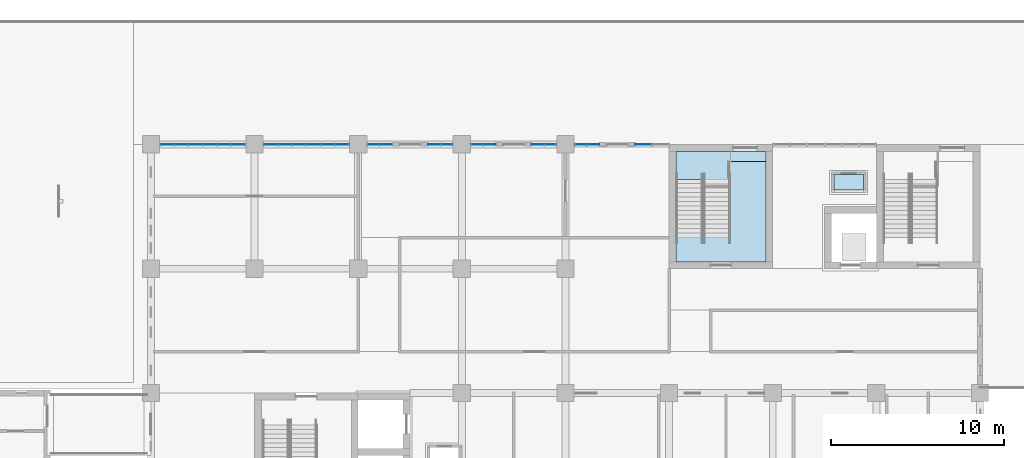
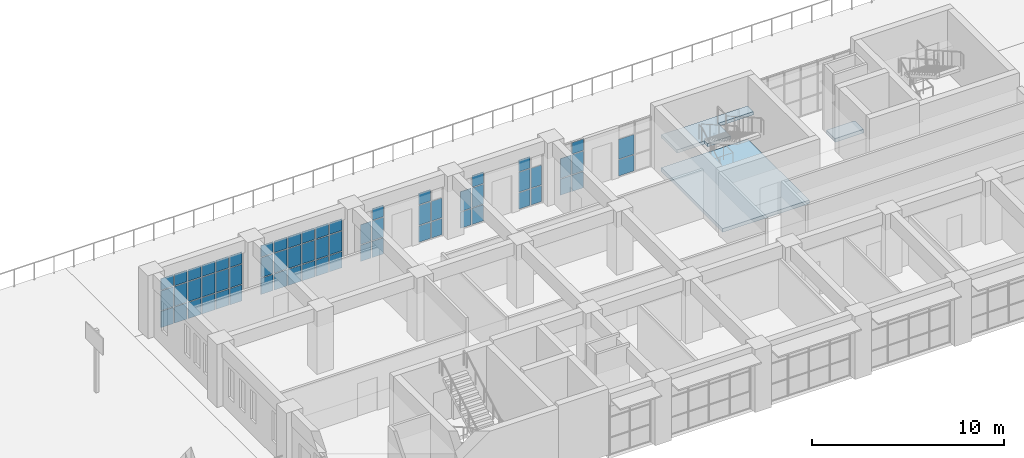
# One storey, part 65 of 101: 63 plates, 3 slabs, 9 elements without a shape of their own.
"""IFC4 building model written with IfcOpenShell, lengths in metres."""

from ifc_helpers import new_model, si_unit, direction, frame, origin, origin_2d, place, context, subcontext, project, spatial, polyline, rectangle, outline, extrude, material, layer, layer_set, type_object, element, aggregate, save


model = new_model("IFC4")

# Units and contexts
model_context = context("Model", 3, precision=1e-05, world=origin(), true_north=direction((0.0, 1.0)))
body_context = subcontext(model_context, "Body", "Model", "MODEL_VIEW")
ifc_project = project(units=[si_unit("LENGTHUNIT", "METRE"), si_unit("AREAUNIT", "SQUARE_METRE"), si_unit("VOLUMEUNIT", "CUBIC_METRE"), si_unit("PLANEANGLEUNIT", "RADIAN"), si_unit("MASSUNIT", "GRAM", prefix="KILO")], contexts=[model_context])

# Site, building, storey
site_placement = place(None, origin())
site = spatial("IfcSite", under=ifc_project, at=site_placement, CompositionType="ELEMENT")
building_placement = place(site_placement, origin())
building = spatial("IfcBuilding", under=site, at=building_placement, Name="Laocheng Heights Fire and Rescue Headquarters", CompositionType="ELEMENT")
storey_placement = place(building_placement, frame((0.0, 0.0, 8.39990234375)))
storey = spatial("IfcBuildingStorey", under=building, at=storey_placement, Name="L02", CompositionType="ELEMENT", Elevation=8.39990234375)

# Curtain wall, plates
ifc_material_1 = material(Name="Dark anodised aluminium unitised curtain wall, low-e double glazing", Category="aluminium")
curtain_wall_type_1 = type_object("IfcCurtainWallType", Name="CW 5000 x 3200 HQ NORTH GLAZING", PredefinedType="NOTDEFINED", material=ifc_material_1)
curtain_wall_1_placement = place(storey_placement, origin())
curtain_wall_1 = element("IfcCurtainWall", 1, at=curtain_wall_1_placement, inside=storey, type_object=curtain_wall_type_1, Name="X17-X HQ NORTH L02", PredefinedType="NOTDEFINED")
ifc_material_2 = material(Name="Laminated safety glass, low-e double glazed unit", Category="glass")
ifc_layer_1 = layer(ifc_material_2, 0.0400390625)
ifc_layer_set_1 = layer_set([ifc_layer_1], Name="Laminated safety glass, low-e double glazed unit")
plate_type_1 = type_object("IfcPlateType", Name="CW LAMINATED SAFETY PANEL 40 X", PredefinedType="CURTAIN_PANEL", material=ifc_layer_set_1)
plate_1_placement = place(storey_placement, frame((36.931640625, 72.0, 0.050048828125), z_axis=(0.0, 0.0, 1.0), x_axis=(1.0, 0.0, 0.0)))
plate_1 = element("IfcPlate", 2, at=plate_1_placement, type_object=plate_type_1, Name="X17-X panel 1.1", PredefinedType="CURTAIN_PANEL", context=body_context, shape_type="SweptSolid", body=[
    extrude(rectangle(XDim=0.743408203125, YDim=0.0400390625, at=origin_2d()), origin(), (0.0, 0.0, 1.0), 1.02490234375),
])
plate_2_placement = place(storey_placement, frame((37.75, 72.0, 0.050048828125), z_axis=(0.0, 0.0, 1.0), x_axis=(1.0, 0.0, 0.0)))
plate_2 = element("IfcPlate", 3, at=plate_2_placement, type_object=plate_type_1, Name="X17-X panel 2.1", PredefinedType="CURTAIN_PANEL", context=body_context, shape_type="SweptSolid", body=[
    extrude(rectangle(XDim=0.7734375, YDim=0.0400390625, at=origin_2d()), origin(), (0.0, 0.0, 1.0), 1.02490234375),
])
plate_3_placement = place(storey_placement, frame((38.583251953125, 72.0, 0.050048828125), z_axis=(0.0, 0.0, 1.0), x_axis=(1.0, 0.0, 0.0)))
plate_3 = element("IfcPlate", 4, at=plate_3_placement, type_object=plate_type_1, Name="X17-X panel 3.1", PredefinedType="CURTAIN_PANEL", context=body_context, shape_type="SweptSolid", body=[
    extrude(rectangle(XDim=0.7734375, YDim=0.0400390625, at=origin_2d()), origin(), (0.0, 0.0, 1.0), 1.02490234375),
])
plate_4_placement = place(storey_placement, frame((39.416748046875, 72.0, 0.050048828125), z_axis=(0.0, 0.0, 1.0), x_axis=(1.0, 0.0, 0.0)))
plate_4 = element("IfcPlate", 5, at=plate_4_placement, type_object=plate_type_1, Name="X17-X panel 4.1", PredefinedType="CURTAIN_PANEL", context=body_context, shape_type="SweptSolid", body=[
    extrude(rectangle(XDim=0.7734375, YDim=0.0400390625, at=origin_2d()), origin(), (0.0, 0.0, 1.0), 1.02490234375),
])
plate_5_placement = place(storey_placement, frame((40.25, 72.0, 0.050048828125), z_axis=(0.0, 0.0, 1.0), x_axis=(1.0, 0.0, 0.0)))
plate_5 = element("IfcPlate", 6, at=plate_5_placement, type_object=plate_type_1, Name="X17-X panel 5.1", PredefinedType="CURTAIN_PANEL", context=body_context, shape_type="SweptSolid", body=[
    extrude(rectangle(XDim=0.7734375, YDim=0.0400390625, at=origin_2d()), origin(), (0.0, 0.0, 1.0), 1.02490234375),
])
plate_6_placement = place(storey_placement, frame((41.068359375, 72.0, 0.050048828125), z_axis=(0.0, 0.0, 1.0), x_axis=(1.0, 0.0, 0.0)))
plate_6 = element("IfcPlate", 7, at=plate_6_placement, type_object=plate_type_1, Name="X17-X panel 6.1", PredefinedType="CURTAIN_PANEL", context=body_context, shape_type="SweptSolid", body=[
    extrude(rectangle(XDim=0.743408203125, YDim=0.0400390625, at=origin_2d()), origin(), (0.0, 0.0, 1.0), 1.02490234375),
])

curtain_wall_2_placement = place(storey_placement, origin())
curtain_wall_2 = element("IfcCurtainWall", 8, at=curtain_wall_2_placement, inside=storey, type_object=curtain_wall_type_1, Name="X17-X HQ NORTH L02", PredefinedType="NOTDEFINED")
plate_7_placement = place(storey_placement, frame((42.931640625, 72.0, 0.050048828125), z_axis=(0.0, 0.0, 1.0), x_axis=(1.0, 0.0, 0.0)))
plate_7 = element("IfcPlate", 9, at=plate_7_placement, type_object=plate_type_1, Name="X17-X panel 1.1", PredefinedType="CURTAIN_PANEL", context=body_context, shape_type="SweptSolid", body=[
    extrude(rectangle(XDim=0.743408203125, YDim=0.0400390625, at=origin_2d()), origin(), (0.0, 0.0, 1.0), 1.02490234375),
])
plate_8_placement = place(storey_placement, frame((43.75, 72.0, 0.050048828125), z_axis=(0.0, 0.0, 1.0), x_axis=(1.0, 0.0, 0.0)))
plate_8 = element("IfcPlate", 10, at=plate_8_placement, type_object=plate_type_1, Name="X17-X panel 2.1", PredefinedType="CURTAIN_PANEL", context=body_context, shape_type="SweptSolid", body=[
    extrude(rectangle(XDim=0.7734375, YDim=0.0400390625, at=origin_2d()), origin(), (0.0, 0.0, 1.0), 1.02490234375),
])
plate_9_placement = place(storey_placement, frame((44.583251953125, 72.0, 0.050048828125), z_axis=(0.0, 0.0, 1.0), x_axis=(1.0, 0.0, 0.0)))
plate_9 = element("IfcPlate", 11, at=plate_9_placement, type_object=plate_type_1, Name="X17-X panel 3.1", PredefinedType="CURTAIN_PANEL", context=body_context, shape_type="SweptSolid", body=[
    extrude(rectangle(XDim=0.7734375, YDim=0.0400390625, at=origin_2d()), origin(), (0.0, 0.0, 1.0), 1.02490234375),
])
plate_10_placement = place(storey_placement, frame((45.416748046875, 72.0, 0.050048828125), z_axis=(0.0, 0.0, 1.0), x_axis=(1.0, 0.0, 0.0)))
plate_10 = element("IfcPlate", 12, at=plate_10_placement, type_object=plate_type_1, Name="X17-X panel 4.1", PredefinedType="CURTAIN_PANEL", context=body_context, shape_type="SweptSolid", body=[
    extrude(rectangle(XDim=0.7734375, YDim=0.0400390625, at=origin_2d()), origin(), (0.0, 0.0, 1.0), 1.02490234375),
])
plate_11_placement = place(storey_placement, frame((46.25, 72.0, 0.050048828125), z_axis=(0.0, 0.0, 1.0), x_axis=(1.0, 0.0, 0.0)))
plate_11 = element("IfcPlate", 13, at=plate_11_placement, type_object=plate_type_1, Name="X17-X panel 5.1", PredefinedType="CURTAIN_PANEL", context=body_context, shape_type="SweptSolid", body=[
    extrude(rectangle(XDim=0.7734375, YDim=0.0400390625, at=origin_2d()), origin(), (0.0, 0.0, 1.0), 1.02490234375),
])
plate_12_placement = place(storey_placement, frame((47.068359375, 72.0, 0.050048828125), z_axis=(0.0, 0.0, 1.0), x_axis=(1.0, 0.0, 0.0)))
plate_12 = element("IfcPlate", 14, at=plate_12_placement, type_object=plate_type_1, Name="X17-X panel 6.1", PredefinedType="CURTAIN_PANEL", context=body_context, shape_type="SweptSolid", body=[
    extrude(rectangle(XDim=0.743408203125, YDim=0.0400390625, at=origin_2d()), origin(), (0.0, 0.0, 1.0), 1.02490234375),
])

# Plate
ifc_material_3 = material(Name="Low-e double glazed unit, laminated inner pane")
ifc_layer_2 = layer(ifc_material_3, 0.028076171875)
ifc_layer_set_2 = layer_set([ifc_layer_2], Name="Low-e double glazed unit, laminated inner pane")
plate_type_2 = type_object("IfcPlateType", Name="CW VISION PANEL 28 X", PredefinedType="CURTAIN_PANEL", material=ifc_layer_set_2)
plate_13_placement = place(storey_placement, frame((36.931640625, 72.0, 1.125), z_axis=(0.0, 0.0, 1.0), x_axis=(1.0, 0.0, 0.0)))
plate_13 = element("IfcPlate", 15, at=plate_13_placement, type_object=plate_type_2, Name="X17-X panel 1.2", PredefinedType="CURTAIN_PANEL", context=body_context, shape_type="SweptSolid", body=[
    extrude(rectangle(XDim=0.743408203125, YDim=0.028076171875, at=origin_2d()), origin(), (0.0, 0.0, 1.0), 1.25),
])

plate_14_placement = place(storey_placement, frame((36.931640625, 72.0, 2.425048828125), z_axis=(0.0, 0.0, 1.0), x_axis=(1.0, 0.0, 0.0)))
plate_14 = element("IfcPlate", 16, at=plate_14_placement, type_object=plate_type_2, Name="X17-X panel 1.3", PredefinedType="CURTAIN_PANEL", context=body_context, shape_type="SweptSolid", body=[
    extrude(rectangle(XDim=0.743408203125, YDim=0.028076171875, at=origin_2d()), origin(), (0.0, 0.0, 1.0), 0.72509765625),
])

plate_15_placement = place(storey_placement, frame((37.75, 72.0, 1.125), z_axis=(0.0, 0.0, 1.0), x_axis=(1.0, 0.0, 0.0)))
plate_15 = element("IfcPlate", 17, at=plate_15_placement, type_object=plate_type_2, Name="X17-X panel 2.2", PredefinedType="CURTAIN_PANEL", context=body_context, shape_type="SweptSolid", body=[
    extrude(rectangle(XDim=0.7734375, YDim=0.028076171875, at=origin_2d()), origin(), (0.0, 0.0, 1.0), 1.25),
])

plate_16_placement = place(storey_placement, frame((37.75, 72.0, 2.425048828125), z_axis=(0.0, 0.0, 1.0), x_axis=(1.0, 0.0, 0.0)))
plate_16 = element("IfcPlate", 18, at=plate_16_placement, type_object=plate_type_2, Name="X17-X panel 2.3", PredefinedType="CURTAIN_PANEL", context=body_context, shape_type="SweptSolid", body=[
    extrude(rectangle(XDim=0.7734375, YDim=0.028076171875, at=origin_2d()), origin(), (0.0, 0.0, 1.0), 0.72509765625),
])

plate_17_placement = place(storey_placement, frame((38.583251953125, 72.0, 1.125), z_axis=(0.0, 0.0, 1.0), x_axis=(1.0, 0.0, 0.0)))
plate_17 = element("IfcPlate", 19, at=plate_17_placement, type_object=plate_type_2, Name="X17-X panel 3.2", PredefinedType="CURTAIN_PANEL", context=body_context, shape_type="SweptSolid", body=[
    extrude(rectangle(XDim=0.7734375, YDim=0.028076171875, at=origin_2d()), origin(), (0.0, 0.0, 1.0), 1.25),
])

plate_18_placement = place(storey_placement, frame((38.583251953125, 72.0, 2.425048828125), z_axis=(0.0, 0.0, 1.0), x_axis=(1.0, 0.0, 0.0)))
plate_18 = element("IfcPlate", 20, at=plate_18_placement, type_object=plate_type_2, Name="X17-X panel 3.3", PredefinedType="CURTAIN_PANEL", context=body_context, shape_type="SweptSolid", body=[
    extrude(rectangle(XDim=0.7734375, YDim=0.028076171875, at=origin_2d()), origin(), (0.0, 0.0, 1.0), 0.72509765625),
])

plate_19_placement = place(storey_placement, frame((39.416748046875, 72.0, 1.125), z_axis=(0.0, 0.0, 1.0), x_axis=(1.0, 0.0, 0.0)))
plate_19 = element("IfcPlate", 21, at=plate_19_placement, type_object=plate_type_2, Name="X17-X panel 4.2", PredefinedType="CURTAIN_PANEL", context=body_context, shape_type="SweptSolid", body=[
    extrude(rectangle(XDim=0.7734375, YDim=0.028076171875, at=origin_2d()), origin(), (0.0, 0.0, 1.0), 1.25),
])

plate_20_placement = place(storey_placement, frame((39.416748046875, 72.0, 2.425048828125), z_axis=(0.0, 0.0, 1.0), x_axis=(1.0, 0.0, 0.0)))
plate_20 = element("IfcPlate", 22, at=plate_20_placement, type_object=plate_type_2, Name="X17-X panel 4.3", PredefinedType="CURTAIN_PANEL", context=body_context, shape_type="SweptSolid", body=[
    extrude(rectangle(XDim=0.7734375, YDim=0.028076171875, at=origin_2d()), origin(), (0.0, 0.0, 1.0), 0.72509765625),
])

plate_21_placement = place(storey_placement, frame((40.25, 72.0, 1.125), z_axis=(0.0, 0.0, 1.0), x_axis=(1.0, 0.0, 0.0)))
plate_21 = element("IfcPlate", 23, at=plate_21_placement, type_object=plate_type_2, Name="X17-X panel 5.2", PredefinedType="CURTAIN_PANEL", context=body_context, shape_type="SweptSolid", body=[
    extrude(rectangle(XDim=0.7734375, YDim=0.028076171875, at=origin_2d()), origin(), (0.0, 0.0, 1.0), 1.25),
])

plate_22_placement = place(storey_placement, frame((40.25, 72.0, 2.425048828125), z_axis=(0.0, 0.0, 1.0), x_axis=(1.0, 0.0, 0.0)))
plate_22 = element("IfcPlate", 24, at=plate_22_placement, type_object=plate_type_2, Name="X17-X panel 5.3", PredefinedType="CURTAIN_PANEL", context=body_context, shape_type="SweptSolid", body=[
    extrude(rectangle(XDim=0.7734375, YDim=0.028076171875, at=origin_2d()), origin(), (0.0, 0.0, 1.0), 0.72509765625),
])

plate_23_placement = place(storey_placement, frame((41.068359375, 72.0, 1.125), z_axis=(0.0, 0.0, 1.0), x_axis=(1.0, 0.0, 0.0)))
plate_23 = element("IfcPlate", 25, at=plate_23_placement, type_object=plate_type_2, Name="X17-X panel 6.2", PredefinedType="CURTAIN_PANEL", context=body_context, shape_type="SweptSolid", body=[
    extrude(rectangle(XDim=0.743408203125, YDim=0.028076171875, at=origin_2d()), origin(), (0.0, 0.0, 1.0), 1.25),
])

plate_24_placement = place(storey_placement, frame((41.068359375, 72.0, 2.425048828125), z_axis=(0.0, 0.0, 1.0), x_axis=(1.0, 0.0, 0.0)))
plate_24 = element("IfcPlate", 26, at=plate_24_placement, type_object=plate_type_2, Name="X17-X panel 6.3", PredefinedType="CURTAIN_PANEL", context=body_context, shape_type="SweptSolid", body=[
    extrude(rectangle(XDim=0.743408203125, YDim=0.028076171875, at=origin_2d()), origin(), (0.0, 0.0, 1.0), 0.72509765625),
])

aggregate(curtain_wall_1, [plate_1, plate_13, plate_14, plate_2, plate_15, plate_16, plate_3, plate_17, plate_18, plate_4, plate_19, plate_20, plate_5, plate_21, plate_22, plate_6, plate_23, plate_24])

plate_25_placement = place(storey_placement, frame((42.931640625, 72.0, 1.125), z_axis=(0.0, 0.0, 1.0), x_axis=(1.0, 0.0, 0.0)))
plate_25 = element("IfcPlate", 27, at=plate_25_placement, type_object=plate_type_2, Name="X17-X panel 1.2", PredefinedType="CURTAIN_PANEL", context=body_context, shape_type="SweptSolid", body=[
    extrude(rectangle(XDim=0.743408203125, YDim=0.028076171875, at=origin_2d()), origin(), (0.0, 0.0, 1.0), 1.25),
])

plate_26_placement = place(storey_placement, frame((42.931640625, 72.0, 2.425048828125), z_axis=(0.0, 0.0, 1.0), x_axis=(1.0, 0.0, 0.0)))
plate_26 = element("IfcPlate", 28, at=plate_26_placement, type_object=plate_type_2, Name="X17-X panel 1.3", PredefinedType="CURTAIN_PANEL", context=body_context, shape_type="SweptSolid", body=[
    extrude(rectangle(XDim=0.743408203125, YDim=0.028076171875, at=origin_2d()), origin(), (0.0, 0.0, 1.0), 0.72509765625),
])

plate_27_placement = place(storey_placement, frame((43.75, 72.0, 1.125), z_axis=(0.0, 0.0, 1.0), x_axis=(1.0, 0.0, 0.0)))
plate_27 = element("IfcPlate", 29, at=plate_27_placement, type_object=plate_type_2, Name="X17-X panel 2.2", PredefinedType="CURTAIN_PANEL", context=body_context, shape_type="SweptSolid", body=[
    extrude(rectangle(XDim=0.7734375, YDim=0.028076171875, at=origin_2d()), origin(), (0.0, 0.0, 1.0), 1.25),
])

plate_28_placement = place(storey_placement, frame((43.75, 72.0, 2.425048828125), z_axis=(0.0, 0.0, 1.0), x_axis=(1.0, 0.0, 0.0)))
plate_28 = element("IfcPlate", 30, at=plate_28_placement, type_object=plate_type_2, Name="X17-X panel 2.3", PredefinedType="CURTAIN_PANEL", context=body_context, shape_type="SweptSolid", body=[
    extrude(rectangle(XDim=0.7734375, YDim=0.028076171875, at=origin_2d()), origin(), (0.0, 0.0, 1.0), 0.72509765625),
])

plate_29_placement = place(storey_placement, frame((44.583251953125, 72.0, 1.125), z_axis=(0.0, 0.0, 1.0), x_axis=(1.0, 0.0, 0.0)))
plate_29 = element("IfcPlate", 31, at=plate_29_placement, type_object=plate_type_2, Name="X17-X panel 3.2", PredefinedType="CURTAIN_PANEL", context=body_context, shape_type="SweptSolid", body=[
    extrude(rectangle(XDim=0.7734375, YDim=0.028076171875, at=origin_2d()), origin(), (0.0, 0.0, 1.0), 1.25),
])

plate_30_placement = place(storey_placement, frame((44.583251953125, 72.0, 2.425048828125), z_axis=(0.0, 0.0, 1.0), x_axis=(1.0, 0.0, 0.0)))
plate_30 = element("IfcPlate", 32, at=plate_30_placement, type_object=plate_type_2, Name="X17-X panel 3.3", PredefinedType="CURTAIN_PANEL", context=body_context, shape_type="SweptSolid", body=[
    extrude(rectangle(XDim=0.7734375, YDim=0.028076171875, at=origin_2d()), origin(), (0.0, 0.0, 1.0), 0.72509765625),
])

plate_31_placement = place(storey_placement, frame((45.416748046875, 72.0, 1.125), z_axis=(0.0, 0.0, 1.0), x_axis=(1.0, 0.0, 0.0)))
plate_31 = element("IfcPlate", 33, at=plate_31_placement, type_object=plate_type_2, Name="X17-X panel 4.2", PredefinedType="CURTAIN_PANEL", context=body_context, shape_type="SweptSolid", body=[
    extrude(rectangle(XDim=0.7734375, YDim=0.028076171875, at=origin_2d()), origin(), (0.0, 0.0, 1.0), 1.25),
])

plate_32_placement = place(storey_placement, frame((45.416748046875, 72.0, 2.425048828125), z_axis=(0.0, 0.0, 1.0), x_axis=(1.0, 0.0, 0.0)))
plate_32 = element("IfcPlate", 34, at=plate_32_placement, type_object=plate_type_2, Name="X17-X panel 4.3", PredefinedType="CURTAIN_PANEL", context=body_context, shape_type="SweptSolid", body=[
    extrude(rectangle(XDim=0.7734375, YDim=0.028076171875, at=origin_2d()), origin(), (0.0, 0.0, 1.0), 0.72509765625),
])

plate_33_placement = place(storey_placement, frame((46.25, 72.0, 1.125), z_axis=(0.0, 0.0, 1.0), x_axis=(1.0, 0.0, 0.0)))
plate_33 = element("IfcPlate", 35, at=plate_33_placement, type_object=plate_type_2, Name="X17-X panel 5.2", PredefinedType="CURTAIN_PANEL", context=body_context, shape_type="SweptSolid", body=[
    extrude(rectangle(XDim=0.7734375, YDim=0.028076171875, at=origin_2d()), origin(), (0.0, 0.0, 1.0), 1.25),
])

plate_34_placement = place(storey_placement, frame((46.25, 72.0, 2.425048828125), z_axis=(0.0, 0.0, 1.0), x_axis=(1.0, 0.0, 0.0)))
plate_34 = element("IfcPlate", 36, at=plate_34_placement, type_object=plate_type_2, Name="X17-X panel 5.3", PredefinedType="CURTAIN_PANEL", context=body_context, shape_type="SweptSolid", body=[
    extrude(rectangle(XDim=0.7734375, YDim=0.028076171875, at=origin_2d()), origin(), (0.0, 0.0, 1.0), 0.72509765625),
])

plate_35_placement = place(storey_placement, frame((47.068359375, 72.0, 1.125), z_axis=(0.0, 0.0, 1.0), x_axis=(1.0, 0.0, 0.0)))
plate_35 = element("IfcPlate", 37, at=plate_35_placement, type_object=plate_type_2, Name="X17-X panel 6.2", PredefinedType="CURTAIN_PANEL", context=body_context, shape_type="SweptSolid", body=[
    extrude(rectangle(XDim=0.743408203125, YDim=0.028076171875, at=origin_2d()), origin(), (0.0, 0.0, 1.0), 1.25),
])

plate_36_placement = place(storey_placement, frame((47.068359375, 72.0, 2.425048828125), z_axis=(0.0, 0.0, 1.0), x_axis=(1.0, 0.0, 0.0)))
plate_36 = element("IfcPlate", 38, at=plate_36_placement, type_object=plate_type_2, Name="X17-X panel 6.3", PredefinedType="CURTAIN_PANEL", context=body_context, shape_type="SweptSolid", body=[
    extrude(rectangle(XDim=0.743408203125, YDim=0.028076171875, at=origin_2d()), origin(), (0.0, 0.0, 1.0), 0.72509765625),
])

aggregate(curtain_wall_2, [plate_7, plate_25, plate_26, plate_8, plate_27, plate_28, plate_9, plate_29, plate_30, plate_10, plate_31, plate_32, plate_11, plate_33, plate_34, plate_12, plate_35, plate_36])

# Curtain wall, plates
ifc_material_4 = material(Name="Dark anodised aluminium unitised curtain wall, low-e double glazing", Category="aluminium")
curtain_wall_type_2 = type_object("IfcCurtainWallType", Name="CW 1450 x 3200 HQ NORTH GLAZING", PredefinedType="NOTDEFINED", material=ifc_material_4)
curtain_wall_3_placement = place(storey_placement, origin())
curtain_wall_3 = element("IfcCurtainWall", 39, at=curtain_wall_3_placement, inside=storey, type_object=curtain_wall_type_2, Name="X18-X HQ NORTH L02", PredefinedType="NOTDEFINED")
plate_37_placement = place(storey_placement, frame((48.87744140625, 72.0, 0.050048828125), z_axis=(0.0, 0.0, 1.0), x_axis=(1.0, 0.0, 0.0)))
plate_37 = element("IfcPlate", 40, at=plate_37_placement, type_object=plate_type_2, Name="X18-X panel 1.1", PredefinedType="CURTAIN_PANEL", context=body_context, shape_type="SweptSolid", body=[
    extrude(rectangle(XDim=0.635009765625, YDim=0.028076171875, at=origin_2d()), origin(), (0.0, 0.0, 1.0), 1.02490234375),
])
plate_38_placement = place(storey_placement, frame((48.87744140625, 72.0, 1.125), z_axis=(0.0, 0.0, 1.0), x_axis=(1.0, 0.0, 0.0)))
plate_38 = element("IfcPlate", 41, at=plate_38_placement, type_object=plate_type_2, Name="X18-X panel 1.2", PredefinedType="CURTAIN_PANEL", context=body_context, shape_type="SweptSolid", body=[
    extrude(rectangle(XDim=0.635009765625, YDim=0.028076171875, at=origin_2d()), origin(), (0.0, 0.0, 1.0), 1.25),
])
plate_39_placement = place(storey_placement, frame((49.6025390625, 72.0, 0.050048828125), z_axis=(0.0, 0.0, 1.0), x_axis=(1.0, 0.0, 0.0)))
plate_39 = element("IfcPlate", 42, at=plate_39_placement, type_object=plate_type_2, Name="X18-X panel 2.1", PredefinedType="CURTAIN_PANEL", context=body_context, shape_type="SweptSolid", body=[
    extrude(rectangle(XDim=0.695068359375, YDim=0.028076171875, at=origin_2d()), origin(), (0.0, 0.0, 1.0), 1.02490234375),
])
plate_40_placement = place(storey_placement, frame((49.6025390625, 72.0, 1.125), z_axis=(0.0, 0.0, 1.0), x_axis=(1.0, 0.0, 0.0)))
plate_40 = element("IfcPlate", 43, at=plate_40_placement, type_object=plate_type_2, Name="X18-X panel 2.2", PredefinedType="CURTAIN_PANEL", context=body_context, shape_type="SweptSolid", body=[
    extrude(rectangle(XDim=0.695068359375, YDim=0.028076171875, at=origin_2d()), origin(), (0.0, 0.0, 1.0), 1.25),
])
plate_41_placement = place(storey_placement, frame((49.6025390625, 72.0, 2.425048828125), z_axis=(0.0, 0.0, 1.0), x_axis=(1.0, 0.0, 0.0)))
plate_41 = element("IfcPlate", 44, at=plate_41_placement, type_object=plate_type_2, Name="X18-X panel 2.3", PredefinedType="CURTAIN_PANEL", context=body_context, shape_type="SweptSolid", body=[
    extrude(rectangle(XDim=0.695068359375, YDim=0.028076171875, at=origin_2d()), origin(), (0.0, 0.0, 1.0), 0.72509765625),
])
aggregate(curtain_wall_3, [plate_37, plate_38, plate_39, plate_40, plate_41])

curtain_wall_4_placement = place(storey_placement, origin())
curtain_wall_4 = element("IfcCurtainWall", 45, at=curtain_wall_4_placement, inside=storey, type_object=curtain_wall_type_2, Name="X18-X HQ NORTH L02", PredefinedType="NOTDEFINED")
plate_42_placement = place(storey_placement, frame((52.3974609375, 72.0, 0.050048828125), z_axis=(0.0, 0.0, 1.0), x_axis=(1.0, 0.0, 0.0)))
plate_42 = element("IfcPlate", 46, at=plate_42_placement, type_object=plate_type_2, Name="X18-X panel 1.1", PredefinedType="CURTAIN_PANEL", context=body_context, shape_type="SweptSolid", body=[
    extrude(rectangle(XDim=0.695068359375, YDim=0.028076171875, at=origin_2d()), origin(), (0.0, 0.0, 1.0), 1.02490234375),
])
plate_43_placement = place(storey_placement, frame((52.3974609375, 72.0, 1.125), z_axis=(0.0, 0.0, 1.0), x_axis=(1.0, 0.0, 0.0)))
plate_43 = element("IfcPlate", 47, at=plate_43_placement, type_object=plate_type_2, Name="X18-X panel 1.2", PredefinedType="CURTAIN_PANEL", context=body_context, shape_type="SweptSolid", body=[
    extrude(rectangle(XDim=0.695068359375, YDim=0.028076171875, at=origin_2d()), origin(), (0.0, 0.0, 1.0), 1.25),
])
plate_44_placement = place(storey_placement, frame((52.3974609375, 72.0, 2.425048828125), z_axis=(0.0, 0.0, 1.0), x_axis=(1.0, 0.0, 0.0)))
plate_44 = element("IfcPlate", 48, at=plate_44_placement, type_object=plate_type_2, Name="X18-X panel 1.3", PredefinedType="CURTAIN_PANEL", context=body_context, shape_type="SweptSolid", body=[
    extrude(rectangle(XDim=0.695068359375, YDim=0.028076171875, at=origin_2d()), origin(), (0.0, 0.0, 1.0), 0.72509765625),
])
plate_45_placement = place(storey_placement, frame((53.12255859375, 72.0, 0.050048828125), z_axis=(0.0, 0.0, 1.0), x_axis=(1.0, 0.0, 0.0)))
plate_45 = element("IfcPlate", 49, at=plate_45_placement, type_object=plate_type_2, Name="X18-X panel 2.1", PredefinedType="CURTAIN_PANEL", context=body_context, shape_type="SweptSolid", body=[
    extrude(rectangle(XDim=0.635009765625, YDim=0.028076171875, at=origin_2d()), origin(), (0.0, 0.0, 1.0), 1.02490234375),
])
plate_46_placement = place(storey_placement, frame((53.12255859375, 72.0, 1.125), z_axis=(0.0, 0.0, 1.0), x_axis=(1.0, 0.0, 0.0)))
plate_46 = element("IfcPlate", 50, at=plate_46_placement, type_object=plate_type_2, Name="X18-X panel 2.2", PredefinedType="CURTAIN_PANEL", context=body_context, shape_type="SweptSolid", body=[
    extrude(rectangle(XDim=0.635009765625, YDim=0.028076171875, at=origin_2d()), origin(), (0.0, 0.0, 1.0), 1.25),
])
aggregate(curtain_wall_4, [plate_42, plate_43, plate_44, plate_45, plate_46])

curtain_wall_5_placement = place(storey_placement, origin())
curtain_wall_5 = element("IfcCurtainWall", 51, at=curtain_wall_5_placement, inside=storey, type_object=curtain_wall_type_2, Name="X18-X HQ NORTH L02", PredefinedType="NOTDEFINED")
plate_47_placement = place(storey_placement, frame((54.87744140625, 72.0, 0.050048828125), z_axis=(0.0, 0.0, 1.0), x_axis=(1.0, 0.0, 0.0)))
plate_47 = element("IfcPlate", 52, at=plate_47_placement, type_object=plate_type_2, Name="X18-X panel 1.1", PredefinedType="CURTAIN_PANEL", context=body_context, shape_type="SweptSolid", body=[
    extrude(rectangle(XDim=0.635009765625, YDim=0.028076171875, at=origin_2d()), origin(), (0.0, 0.0, 1.0), 1.02490234375),
])
plate_48_placement = place(storey_placement, frame((54.87744140625, 72.0, 1.125), z_axis=(0.0, 0.0, 1.0), x_axis=(1.0, 0.0, 0.0)))
plate_48 = element("IfcPlate", 53, at=plate_48_placement, type_object=plate_type_2, Name="X18-X panel 1.2", PredefinedType="CURTAIN_PANEL", context=body_context, shape_type="SweptSolid", body=[
    extrude(rectangle(XDim=0.635009765625, YDim=0.028076171875, at=origin_2d()), origin(), (0.0, 0.0, 1.0), 1.25),
])
plate_49_placement = place(storey_placement, frame((55.6025390625, 72.0, 0.050048828125), z_axis=(0.0, 0.0, 1.0), x_axis=(1.0, 0.0, 0.0)))
plate_49 = element("IfcPlate", 54, at=plate_49_placement, type_object=plate_type_2, Name="X18-X panel 2.1", PredefinedType="CURTAIN_PANEL", context=body_context, shape_type="SweptSolid", body=[
    extrude(rectangle(XDim=0.695068359375, YDim=0.028076171875, at=origin_2d()), origin(), (0.0, 0.0, 1.0), 1.02490234375),
])
plate_50_placement = place(storey_placement, frame((55.6025390625, 72.0, 1.125), z_axis=(0.0, 0.0, 1.0), x_axis=(1.0, 0.0, 0.0)))
plate_50 = element("IfcPlate", 55, at=plate_50_placement, type_object=plate_type_2, Name="X18-X panel 2.2", PredefinedType="CURTAIN_PANEL", context=body_context, shape_type="SweptSolid", body=[
    extrude(rectangle(XDim=0.695068359375, YDim=0.028076171875, at=origin_2d()), origin(), (0.0, 0.0, 1.0), 1.25),
])
plate_51_placement = place(storey_placement, frame((55.6025390625, 72.0, 2.425048828125), z_axis=(0.0, 0.0, 1.0), x_axis=(1.0, 0.0, 0.0)))
plate_51 = element("IfcPlate", 56, at=plate_51_placement, type_object=plate_type_2, Name="X18-X panel 2.3", PredefinedType="CURTAIN_PANEL", context=body_context, shape_type="SweptSolid", body=[
    extrude(rectangle(XDim=0.695068359375, YDim=0.028076171875, at=origin_2d()), origin(), (0.0, 0.0, 1.0), 0.72509765625),
])
aggregate(curtain_wall_5, [plate_47, plate_48, plate_49, plate_50, plate_51])

curtain_wall_6_placement = place(storey_placement, origin())
curtain_wall_6 = element("IfcCurtainWall", 57, at=curtain_wall_6_placement, inside=storey, type_object=curtain_wall_type_2, Name="X18-X HQ NORTH L02", PredefinedType="NOTDEFINED")
plate_52_placement = place(storey_placement, frame((58.3974609375, 72.0, 0.050048828125), z_axis=(0.0, 0.0, 1.0), x_axis=(1.0, 0.0, 0.0)))
plate_52 = element("IfcPlate", 58, at=plate_52_placement, type_object=plate_type_2, Name="X18-X panel 1.1", PredefinedType="CURTAIN_PANEL", context=body_context, shape_type="SweptSolid", body=[
    extrude(rectangle(XDim=0.695068359375, YDim=0.028076171875, at=origin_2d()), origin(), (0.0, 0.0, 1.0), 1.02490234375),
])
plate_53_placement = place(storey_placement, frame((58.3974609375, 72.0, 1.125), z_axis=(0.0, 0.0, 1.0), x_axis=(1.0, 0.0, 0.0)))
plate_53 = element("IfcPlate", 59, at=plate_53_placement, type_object=plate_type_2, Name="X18-X panel 1.2", PredefinedType="CURTAIN_PANEL", context=body_context, shape_type="SweptSolid", body=[
    extrude(rectangle(XDim=0.695068359375, YDim=0.028076171875, at=origin_2d()), origin(), (0.0, 0.0, 1.0), 1.25),
])
plate_54_placement = place(storey_placement, frame((58.3974609375, 72.0, 2.425048828125), z_axis=(0.0, 0.0, 1.0), x_axis=(1.0, 0.0, 0.0)))
plate_54 = element("IfcPlate", 60, at=plate_54_placement, type_object=plate_type_2, Name="X18-X panel 1.3", PredefinedType="CURTAIN_PANEL", context=body_context, shape_type="SweptSolid", body=[
    extrude(rectangle(XDim=0.695068359375, YDim=0.028076171875, at=origin_2d()), origin(), (0.0, 0.0, 1.0), 0.72509765625),
])
plate_55_placement = place(storey_placement, frame((59.12255859375, 72.0, 0.050048828125), z_axis=(0.0, 0.0, 1.0), x_axis=(1.0, 0.0, 0.0)))
plate_55 = element("IfcPlate", 61, at=plate_55_placement, type_object=plate_type_2, Name="X18-X panel 2.1", PredefinedType="CURTAIN_PANEL", context=body_context, shape_type="SweptSolid", body=[
    extrude(rectangle(XDim=0.635009765625, YDim=0.028076171875, at=origin_2d()), origin(), (0.0, 0.0, 1.0), 1.02490234375),
])
plate_56_placement = place(storey_placement, frame((59.12255859375, 72.0, 1.125), z_axis=(0.0, 0.0, 1.0), x_axis=(1.0, 0.0, 0.0)))
plate_56 = element("IfcPlate", 62, at=plate_56_placement, type_object=plate_type_2, Name="X18-X panel 2.2", PredefinedType="CURTAIN_PANEL", context=body_context, shape_type="SweptSolid", body=[
    extrude(rectangle(XDim=0.635009765625, YDim=0.028076171875, at=origin_2d()), origin(), (0.0, 0.0, 1.0), 1.25),
])
aggregate(curtain_wall_6, [plate_52, plate_53, plate_54, plate_55, plate_56])

curtain_wall_7_placement = place(storey_placement, origin())
curtain_wall_7 = element("IfcCurtainWall", 63, at=curtain_wall_7_placement, inside=storey, type_object=curtain_wall_type_2, Name="X18-X HQ NORTH L02", PredefinedType="NOTDEFINED")
plate_57_placement = place(storey_placement, frame((60.87744140625, 72.0, 0.050048828125), z_axis=(0.0, 0.0, 1.0), x_axis=(1.0, 0.0, 0.0)))
plate_57 = element("IfcPlate", 64, at=plate_57_placement, type_object=plate_type_2, Name="X18-X panel 1.1", PredefinedType="CURTAIN_PANEL", context=body_context, shape_type="SweptSolid", body=[
    extrude(rectangle(XDim=0.635009765625, YDim=0.028076171875, at=origin_2d()), origin(), (0.0, 0.0, 1.0), 1.02490234375),
])
plate_58_placement = place(storey_placement, frame((60.87744140625, 72.0, 1.125), z_axis=(0.0, 0.0, 1.0), x_axis=(1.0, 0.0, 0.0)))
plate_58 = element("IfcPlate", 65, at=plate_58_placement, type_object=plate_type_2, Name="X18-X panel 1.2", PredefinedType="CURTAIN_PANEL", context=body_context, shape_type="SweptSolid", body=[
    extrude(rectangle(XDim=0.635009765625, YDim=0.028076171875, at=origin_2d()), origin(), (0.0, 0.0, 1.0), 1.25),
])
plate_59_placement = place(storey_placement, frame((61.6025390625, 72.0, 0.050048828125), z_axis=(0.0, 0.0, 1.0), x_axis=(1.0, 0.0, 0.0)))
plate_59 = element("IfcPlate", 66, at=plate_59_placement, type_object=plate_type_2, Name="X18-X panel 2.1", PredefinedType="CURTAIN_PANEL", context=body_context, shape_type="SweptSolid", body=[
    extrude(rectangle(XDim=0.695068359375, YDim=0.028076171875, at=origin_2d()), origin(), (0.0, 0.0, 1.0), 1.02490234375),
])
plate_60_placement = place(storey_placement, frame((61.6025390625, 72.0, 1.125), z_axis=(0.0, 0.0, 1.0), x_axis=(1.0, 0.0, 0.0)))
plate_60 = element("IfcPlate", 67, at=plate_60_placement, type_object=plate_type_2, Name="X18-X panel 2.2", PredefinedType="CURTAIN_PANEL", context=body_context, shape_type="SweptSolid", body=[
    extrude(rectangle(XDim=0.695068359375, YDim=0.028076171875, at=origin_2d()), origin(), (0.0, 0.0, 1.0), 1.25),
])
plate_61_placement = place(storey_placement, frame((61.6025390625, 72.0, 2.425048828125), z_axis=(0.0, 0.0, 1.0), x_axis=(1.0, 0.0, 0.0)))
plate_61 = element("IfcPlate", 68, at=plate_61_placement, type_object=plate_type_2, Name="X18-X panel 2.3", PredefinedType="CURTAIN_PANEL", context=body_context, shape_type="SweptSolid", body=[
    extrude(rectangle(XDim=0.695068359375, YDim=0.028076171875, at=origin_2d()), origin(), (0.0, 0.0, 1.0), 0.72509765625),
])
aggregate(curtain_wall_7, [plate_57, plate_58, plate_59, plate_60, plate_61])

ifc_material_5 = material(Name="Dark anodised aluminium unitised curtain wall, low-e double glazing", Category="aluminium")
curtain_wall_type_3 = type_object("IfcCurtainWallType", Name="CW 1950 x 3200 HQ NORTH GLAZING", PredefinedType="NOTDEFINED", material=ifc_material_5)
curtain_wall_8_placement = place(storey_placement, origin())
curtain_wall_8 = element("IfcCurtainWall", 69, at=curtain_wall_8_placement, inside=storey, type_object=curtain_wall_type_3, Name="X19-X HQ NORTH L02", PredefinedType="NOTDEFINED")
plate_62_placement = place(storey_placement, frame((64.5224609375, 72.0, 0.050048828125), z_axis=(0.0, 0.0, 1.0), x_axis=(1.0, 0.0, 0.0)))
plate_62 = element("IfcPlate", 70, at=plate_62_placement, type_object=plate_type_2, Name="X19-X panel 1.1", PredefinedType="CURTAIN_PANEL", context=body_context, shape_type="SweptSolid", body=[
    extrude(rectangle(XDim=0.945068359375, YDim=0.028076171875, at=origin_2d()), origin(), (0.0, 0.0, 1.0), 1.02490234375),
])
plate_63_placement = place(storey_placement, frame((64.5224609375, 72.0, 1.125), z_axis=(0.0, 0.0, 1.0), x_axis=(1.0, 0.0, 0.0)))
plate_63 = element("IfcPlate", 71, at=plate_63_placement, type_object=plate_type_2, Name="X19-X panel 1.2", PredefinedType="CURTAIN_PANEL", context=body_context, shape_type="SweptSolid", body=[
    extrude(rectangle(XDim=0.945068359375, YDim=0.028076171875, at=origin_2d()), origin(), (0.0, 0.0, 1.0), 1.25),
])
aggregate(curtain_wall_8, [plate_62, plate_63])

# Slab
ifc_material_6 = material(Name="Concrete C30", Category="concrete")
ifc_layer_3 = layer(ifc_material_6, 0.22998046875)
ifc_layer_set_3 = layer_set([ifc_layer_3], Name="Concrete C30")
slab_type_1 = type_object("IfcSlabType", Name="RISER FLOOR SLAB 230", PredefinedType="FLOOR", material=ifc_layer_set_3)
slab_1_placement = place(storey_placement, frame((0.0, 0.0, -0.22998046875)))
element("IfcSlab", 72, at=slab_1_placement, inside=storey, type_object=slab_type_1, Name="Riser floor slab RH2", PredefinedType="FLOOR", context=body_context, shape_type="SweptSolid", body=[
    extrude(outline(polyline([(75.550048828125, 70.25), (75.550048828125, 69.35009765625), (77.25, 69.35009765625), (77.25, 70.25), (75.550048828125, 70.25)])), origin(), (0.0, 0.0, 1.0), 0.22998046875),
])

# Stair, slabs
ifc_material_7 = material(Name="Concrete C40", Category="concrete")
stair_type = type_object("IfcStairType", Name="RC STAIR 1400 TWO FLIGHTS 28 RISERS OF 150 GOING 260", PredefinedType="HALF_TURN_STAIR", material=ifc_material_7)
stair_placement = place(storey_placement, origin())
stair = element("IfcStair", 73, at=stair_placement, inside=storey, type_object=stair_type, Name="Stair H3 (L02 to L03)", PredefinedType="HALF_TURN_STAIR")
ifc_material_8 = material(Name="Concrete C40", Category="concrete")
ifc_layer_4 = layer(ifc_material_8, 0.22998046875)
ifc_layer_set_4 = layer_set([ifc_layer_4], Name="Concrete C40")
slab_type_2 = type_object("IfcSlabType", Name="STAIR FLOOR LANDING 230", PredefinedType="LANDING", material=ifc_layer_set_4)
slab_2_placement = place(storey_placement, frame((0.0, 0.0, -0.22998046875)))
slab_2 = element("IfcSlab", 74, at=slab_2_placement, type_object=slab_type_2, Name="Stair H3 floor landing L02", PredefinedType="LANDING", context=body_context, shape_type="SweptSolid", body=[
    extrude(outline(polyline([(66.39990234375, 71.60009765625), (71.60009765625, 71.60009765625), (71.60009765625, 65.199951171875), (66.39990234375, 65.199951171875), (66.39990234375, 71.60009765625)])), origin(), (0.0, 0.0, 1.0), 0.22998046875),
])
ifc_material_9 = material(Name="Concrete C40", Category="concrete")
ifc_layer_5 = layer(ifc_material_9, 0.201904296875)
ifc_layer_set_5 = layer_set([ifc_layer_5], Name="Concrete C40")
slab_type_3 = type_object("IfcSlabType", Name="STAIR HALF LANDING 202", PredefinedType="LANDING", material=ifc_layer_set_5)
slab_3_placement = place(storey_placement, frame((0.0, 0.0, 1.900146484375)))
slab_3 = element("IfcSlab", 75, at=slab_3_placement, type_object=slab_type_3, Name="H3-L02 landing 1", PredefinedType="LANDING", context=body_context, shape_type="SweptSolid", body=[
    extrude(outline(polyline([(71.60009765625, 71.0), (71.60009765625, 71.60009765625), (69.47509765625, 71.60009765625), (68.074951171875, 71.60009765625), (66.39990234375, 71.60009765625), (66.39990234375, 69.97705078125), (68.074951171875, 69.97705078125), (68.074951171875, 69.679931640625), (69.47509765625, 69.679931640625), (69.47509765625, 71.0), (71.60009765625, 71.0)])), origin(), (0.0, 0.0, 1.0), 0.201904296875),
])
aggregate(stair, [slab_3, slab_2])

save(model, "model.ifc")
